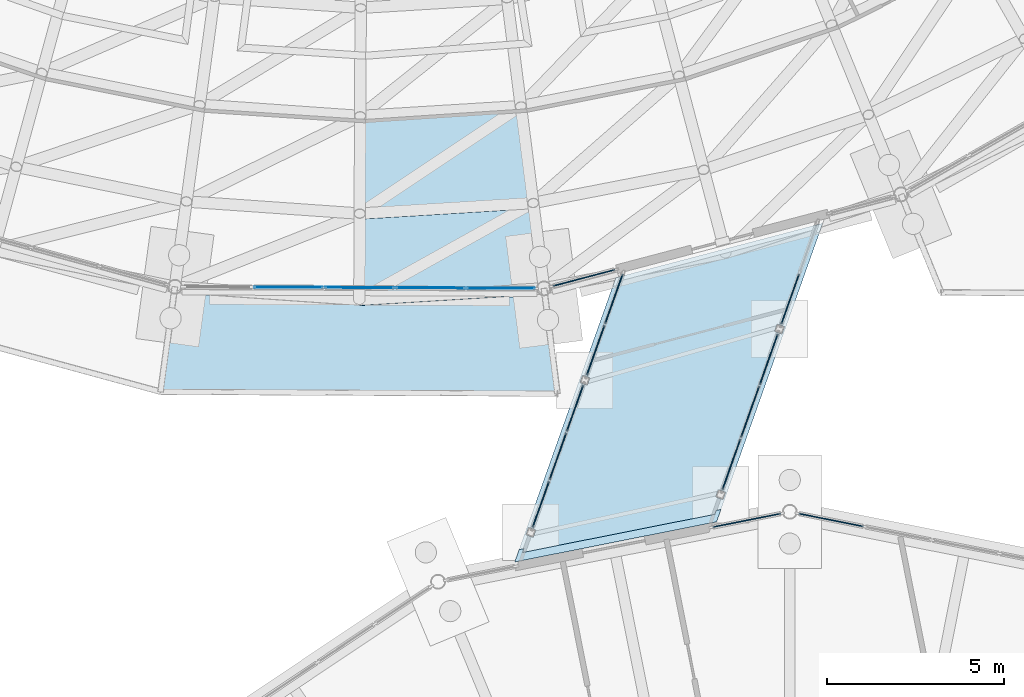
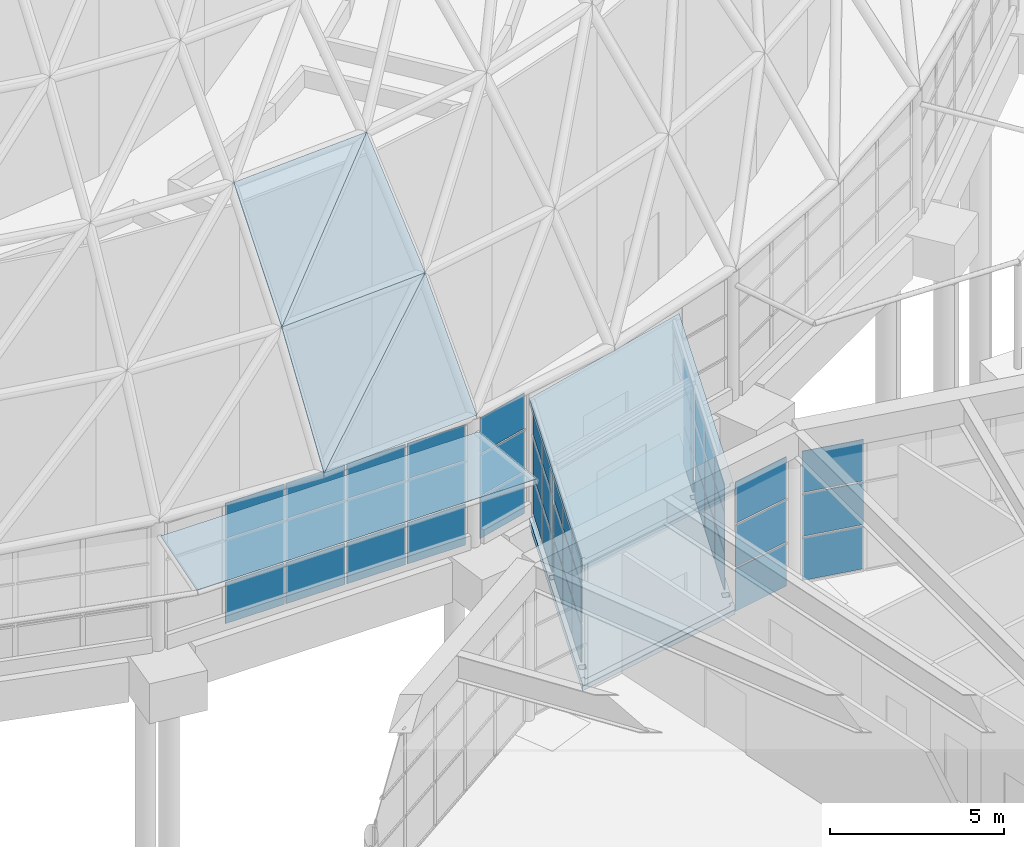
# One storey, part 144 of 226: 55 plates, 2 slabs, 8 elements without a shape of their own.
"""IFC4 building model written with IfcOpenShell, lengths in metres."""

from ifc_helpers import new_model, si_unit, direction, frame, origin, origin_2d, place, context, subcontext, project, spatial, polyline, rectangle, outline, extrude, material, layer, layer_set, type_object, element, aggregate, save


model = new_model("IFC4")

# Units and contexts
model_context = context("Model", 3, precision=1e-05, world=origin(), true_north=direction((0.0, 1.0)))
body_context = subcontext(model_context, "Body", "Model", "MODEL_VIEW")
ifc_project = project(units=[si_unit("LENGTHUNIT", "METRE"), si_unit("AREAUNIT", "SQUARE_METRE"), si_unit("VOLUMEUNIT", "CUBIC_METRE"), si_unit("PLANEANGLEUNIT", "RADIAN"), si_unit("MASSUNIT", "GRAM", prefix="KILO")], contexts=[model_context])

# Site, building, storey
site_placement = place(None, origin())
site = spatial("IfcSite", under=ifc_project, at=site_placement, CompositionType="ELEMENT")
building_placement = place(site_placement, origin())
building = spatial("IfcBuilding", under=site, at=building_placement, Name="Ceibo Conservatory and Research Tower", CompositionType="ELEMENT")
storey_placement = place(building_placement, origin())
storey = spatial("IfcBuildingStorey", under=building, at=storey_placement, Name="L00", CompositionType="ELEMENT", Elevation=0.0)

# Plate
ifc_material_1 = material(Name="Laminated glass", Category="glass")
ifc_layer_1 = layer(ifc_material_1, 0.02490234375)
ifc_layer_set_1 = layer_set([ifc_layer_1], Name="Laminated glass")
plate_type_1 = type_object("IfcPlateType", Name="Canopy glass 25", PredefinedType="SHEET", material=ifc_layer_set_1)
plate_1_placement = place(storey_placement, frame((150.572265625, 68.11767578125, 4.07275390625), z_axis=(0.00020013878, 0.04579833841, -0.998950685541), x_axis=(0.999990459392, -0.004368194758, 8.0894e-08)))
element("IfcPlate", 1, at=plate_1_placement, inside=storey, type_object=plate_type_1, Name="Brim canopy plate A-CP18", PredefinedType="SHEET", context=body_context, shape_type="SweptSolid", body=[
    extrude(outline(polyline([(0.0, 0.0), (10.507424465800101, 0.0), (10.866261528690972, 2.729349793094266), (-0.3589433905133363, 2.729311407075708), (0.0, 0.0)])), origin(), (0.0, 0.0, 1.0), 0.02490234375),
])

# Curtain wall, plates
ifc_material_2 = material(Name="Aluminium and glass", Category="aluminium")
curtain_wall_type_1 = type_object("IfcCurtainWallType", Name="Drum curtain wall", PredefinedType="NOTDEFINED", material=ifc_material_2)
curtain_wall_1_placement = place(storey_placement, origin())
curtain_wall_1 = element("IfcCurtainWall", 2, at=curtain_wall_1_placement, inside=storey, type_object=curtain_wall_type_1, Name="Drum curtain wall A-CW18", PredefinedType="NOTDEFINED")
ifc_layer_2 = layer(ifc_material_1, 0.028076171875)
ifc_layer_set_2 = layer_set([ifc_layer_2], Name="Laminated glass")
plate_type_2 = type_object("IfcPlateType", Name="Drum glass 28", PredefinedType="CURTAIN_PANEL", material=ifc_layer_set_2)
plate_2_placement = place(storey_placement, frame((153.81982421875, 68.351318359375, 0.06005859375), z_axis=(0.0, 0.0, 1.0), x_axis=(0.999990480759, -0.004363300488, 0.0)))
plate_2 = element("IfcPlate", 3, at=plate_2_placement, type_object=plate_type_2, Name="A-CW18 panel 2.1", PredefinedType="CURTAIN_PANEL", context=body_context, shape_type="SweptSolid", body=[
    extrude(rectangle(XDim=1.947021484375, YDim=0.028076171875, at=origin_2d()), origin(), (0.0, 0.0, 1.0), 1.43994140625),
])
plate_3_placement = place(storey_placement, frame((153.81982421875, 68.351318359375, 1.56005859375), z_axis=(0.0, 0.0, 1.0), x_axis=(0.999990480759, -0.004363300488, 0.0)))
plate_3 = element("IfcPlate", 4, at=plate_3_placement, type_object=plate_type_2, Name="A-CW18 panel 2.2", PredefinedType="CURTAIN_PANEL", context=body_context, shape_type="SweptSolid", body=[
    extrude(rectangle(XDim=1.947021484375, YDim=0.028076171875, at=origin_2d()), origin(), (0.0, 0.0, 1.0), 1.425048828125),
])
plate_4_placement = place(storey_placement, frame((153.81982421875, 68.351318359375, 3.044921875), z_axis=(0.0, 0.0, 1.0), x_axis=(0.999990480759, -0.004363300488, 0.0)))
plate_4 = element("IfcPlate", 5, at=plate_4_placement, type_object=plate_type_2, Name="A-CW18 panel 2.3", PredefinedType="CURTAIN_PANEL", context=body_context, shape_type="SweptSolid", body=[
    extrude(rectangle(XDim=1.947021484375, YDim=0.028076171875, at=origin_2d()), origin(), (0.0, 0.0, 1.0), 1.233154296875),
])
plate_5_placement = place(storey_placement, frame((155.826904296875, 68.342529296875, 0.06005859375), z_axis=(0.0, 0.0, 1.0), x_axis=(0.999990480759, -0.004363300488, 0.0)))
plate_5 = element("IfcPlate", 6, at=plate_5_placement, type_object=plate_type_2, Name="A-CW18 panel 3.1", PredefinedType="CURTAIN_PANEL", context=body_context, shape_type="SweptSolid", body=[
    extrude(rectangle(XDim=1.947021484375, YDim=0.028076171875, at=origin_2d()), origin(), (0.0, 0.0, 1.0), 1.43994140625),
])
plate_6_placement = place(storey_placement, frame((155.826904296875, 68.342529296875, 1.56005859375), z_axis=(0.0, 0.0, 1.0), x_axis=(0.999990480759, -0.004363300488, 0.0)))
plate_6 = element("IfcPlate", 7, at=plate_6_placement, type_object=plate_type_2, Name="A-CW18 panel 3.2", PredefinedType="CURTAIN_PANEL", context=body_context, shape_type="SweptSolid", body=[
    extrude(rectangle(XDim=1.947021484375, YDim=0.028076171875, at=origin_2d()), origin(), (0.0, 0.0, 1.0), 1.425048828125),
])
plate_7_placement = place(storey_placement, frame((155.826904296875, 68.342529296875, 3.044921875), z_axis=(0.0, 0.0, 1.0), x_axis=(0.999990480759, -0.004363300488, 0.0)))
plate_7 = element("IfcPlate", 8, at=plate_7_placement, type_object=plate_type_2, Name="A-CW18 panel 3.3", PredefinedType="CURTAIN_PANEL", context=body_context, shape_type="SweptSolid", body=[
    extrude(rectangle(XDim=1.947021484375, YDim=0.028076171875, at=origin_2d()), origin(), (0.0, 0.0, 1.0), 1.233154296875),
])
plate_8_placement = place(storey_placement, frame((157.833984375, 68.333740234375, 0.06005859375), z_axis=(0.0, 0.0, 1.0), x_axis=(0.999990480759, -0.004363300488, 0.0)))
plate_8 = element("IfcPlate", 9, at=plate_8_placement, type_object=plate_type_2, Name="A-CW18 panel 4.1", PredefinedType="CURTAIN_PANEL", context=body_context, shape_type="SweptSolid", body=[
    extrude(rectangle(XDim=1.947021484375, YDim=0.028076171875, at=origin_2d()), origin(), (0.0, 0.0, 1.0), 1.43994140625),
])
plate_9_placement = place(storey_placement, frame((157.833984375, 68.333740234375, 1.56005859375), z_axis=(0.0, 0.0, 1.0), x_axis=(0.999990480759, -0.004363300488, 0.0)))
plate_9 = element("IfcPlate", 10, at=plate_9_placement, type_object=plate_type_2, Name="A-CW18 panel 4.2", PredefinedType="CURTAIN_PANEL", context=body_context, shape_type="SweptSolid", body=[
    extrude(rectangle(XDim=1.947021484375, YDim=0.028076171875, at=origin_2d()), origin(), (0.0, 0.0, 1.0), 1.425048828125),
])
plate_10_placement = place(storey_placement, frame((157.833984375, 68.333740234375, 3.044921875), z_axis=(0.0, 0.0, 1.0), x_axis=(0.999990480759, -0.004363300488, 0.0)))
plate_10 = element("IfcPlate", 11, at=plate_10_placement, type_object=plate_type_2, Name="A-CW18 panel 4.3", PredefinedType="CURTAIN_PANEL", context=body_context, shape_type="SweptSolid", body=[
    extrude(rectangle(XDim=1.947021484375, YDim=0.028076171875, at=origin_2d()), origin(), (0.0, 0.0, 1.0), 1.233154296875),
])
plate_11_placement = place(storey_placement, frame((159.826171875, 68.3251953125, 0.06005859375), z_axis=(0.0, 0.0, 1.0), x_axis=(0.999990480759, -0.004363300488, 0.0)))
plate_11 = element("IfcPlate", 12, at=plate_11_placement, type_object=plate_type_2, Name="A-CW18 panel 5.1", PredefinedType="CURTAIN_PANEL", context=body_context, shape_type="SweptSolid", body=[
    extrude(rectangle(XDim=1.917236328125, YDim=0.028076171875, at=origin_2d()), origin(), (0.0, 0.0, 1.0), 1.43994140625),
])
plate_12_placement = place(storey_placement, frame((159.826171875, 68.3251953125, 1.56005859375), z_axis=(0.0, 0.0, 1.0), x_axis=(0.999990480759, -0.004363300488, 0.0)))
plate_12 = element("IfcPlate", 13, at=plate_12_placement, type_object=plate_type_2, Name="A-CW18 panel 5.2", PredefinedType="CURTAIN_PANEL", context=body_context, shape_type="SweptSolid", body=[
    extrude(rectangle(XDim=1.917236328125, YDim=0.028076171875, at=origin_2d()), origin(), (0.0, 0.0, 1.0), 1.425048828125),
])
plate_13_placement = place(storey_placement, frame((159.826171875, 68.3251953125, 3.044921875), z_axis=(0.0, 0.0, 1.0), x_axis=(0.999990480759, -0.004363300488, 0.0)))
plate_13 = element("IfcPlate", 14, at=plate_13_placement, type_object=plate_type_2, Name="A-CW18 panel 5.3", PredefinedType="CURTAIN_PANEL", context=body_context, shape_type="SweptSolid", body=[
    extrude(rectangle(XDim=1.917236328125, YDim=0.028076171875, at=origin_2d()), origin(), (0.0, 0.0, 1.0), 1.233154296875),
])
aggregate(curtain_wall_1, [plate_2, plate_3, plate_4, plate_5, plate_6, plate_7, plate_8, plate_9, plate_10, plate_11, plate_12, plate_13])

curtain_wall_2_placement = place(storey_placement, origin())
curtain_wall_2 = element("IfcCurtainWall", 15, at=curtain_wall_2_placement, inside=storey, type_object=curtain_wall_type_1, Name="Drum curtain wall A-CW19W", PredefinedType="NOTDEFINED")
plate_14_placement = place(storey_placement, frame((162.173828125, 68.6162109375, 0.06005859375), z_axis=(0.0, 0.0, 1.0), x_axis=(0.967045935266, 0.254601962062, 0.0)))
plate_14 = element("IfcPlate", 16, at=plate_14_placement, type_object=plate_type_2, Name="A-CW19W panel 1.1", PredefinedType="CURTAIN_PANEL", context=body_context, shape_type="SweptSolid", body=[
    extrude(rectangle(XDim=1.80224609375, YDim=0.028076171875, at=origin_2d()), origin(), (0.0, 0.0, 1.0), 1.43994140625),
])
plate_15_placement = place(storey_placement, frame((162.173828125, 68.6162109375, 1.56005859375), z_axis=(0.0, 0.0, 1.0), x_axis=(0.967045935266, 0.254601962062, 0.0)))
plate_15 = element("IfcPlate", 17, at=plate_15_placement, type_object=plate_type_2, Name="A-CW19W panel 1.2", PredefinedType="CURTAIN_PANEL", context=body_context, shape_type="SweptSolid", body=[
    extrude(rectangle(XDim=1.80224609375, YDim=0.028076171875, at=origin_2d()), origin(), (0.0, 0.0, 1.0), 1.425048828125),
])
plate_16_placement = place(storey_placement, frame((162.173828125, 68.6162109375, 3.044921875), z_axis=(0.0, 0.0, 1.0), x_axis=(0.967045935266, 0.254601962062, 0.0)))
plate_16 = element("IfcPlate", 18, at=plate_16_placement, type_object=plate_type_2, Name="A-CW19W panel 1.3", PredefinedType="CURTAIN_PANEL", context=body_context, shape_type="SweptSolid", body=[
    extrude(rectangle(XDim=1.80224609375, YDim=0.028076171875, at=origin_2d()), origin(), (0.0, 0.0, 1.0), 1.233154296875),
])
aggregate(curtain_wall_2, [plate_14, plate_15, plate_16])

curtain_wall_type_2 = type_object("IfcCurtainWallType", Name="Gallery curtain wall", PredefinedType="NOTDEFINED", material=ifc_material_2)
curtain_wall_3_placement = place(storey_placement, origin())
curtain_wall_3 = element("IfcCurtainWall", 19, at=curtain_wall_3_placement, inside=storey, type_object=curtain_wall_type_2, Name="Gallery curtain wall A-VC-CWN01", PredefinedType="NOTDEFINED")
ifc_layer_3 = layer(ifc_material_1, 0.028076171875)
ifc_layer_set_3 = layer_set([ifc_layer_3], Name="Laminated glass")
plate_type_3 = type_object("IfcPlateType", Name="Gallery glass 28", PredefinedType="CURTAIN_PANEL", material=ifc_layer_set_3)
plate_17_placement = place(storey_placement, frame((168.011962890625, 68.02001953125, 0.06005859375), z_axis=(0.0, 0.0, 1.0), x_axis=(-0.335040023954, -0.942203896378, 0.0)))
plate_17 = element("IfcPlate", 20, at=plate_17_placement, type_object=plate_type_3, Name="A-VC-CWN01 panel 2.1", PredefinedType="CURTAIN_PANEL", context=body_context, shape_type="SweptSolid", body=[
    extrude(rectangle(XDim=1.484375, YDim=0.028076171875, at=origin_2d()), origin(), (0.0, 0.0, 1.0), 1.31005859375),
])
plate_18_placement = place(storey_placement, frame((168.011962890625, 68.02001953125, 1.43017578125), z_axis=(0.0, 0.0, 1.0), x_axis=(-0.335040023954, -0.942203896378, 0.0)))
plate_18 = element("IfcPlate", 21, at=plate_18_placement, type_object=plate_type_3, Name="A-VC-CWN01 panel 2.2", PredefinedType="CURTAIN_PANEL", context=body_context, shape_type="SweptSolid", body=[
    extrude(rectangle(XDim=1.484375, YDim=0.028076171875, at=origin_2d()), origin(), (0.0, 0.0, 1.0), 1.340087890625),
])
plate_19_placement = place(storey_placement, frame((168.011962890625, 68.02001953125, 2.830078125), z_axis=(0.0, 0.0, 1.0), x_axis=(-0.335040023954, -0.942203896378, 0.0)))
plate_19 = element("IfcPlate", 22, at=plate_19_placement, type_object=plate_type_3, Name="A-VC-CWN01 panel 2.3", PredefinedType="CURTAIN_PANEL", context=body_context, shape_type="SweptSolid", body=[
    extrude(rectangle(XDim=1.484375, YDim=0.028076171875, at=origin_2d()), origin(), (0.0, 0.0, 1.0), 0.909912109375),
])
aggregate(curtain_wall_3, [plate_17, plate_18, plate_19])

curtain_wall_4_placement = place(storey_placement, origin())
curtain_wall_4 = element("IfcCurtainWall", 23, at=curtain_wall_4_placement, inside=storey, type_object=curtain_wall_type_2, Name="Gallery curtain wall A-VC-CWN02", PredefinedType="NOTDEFINED")
plate_20_placement = place(storey_placement, frame((167.404541015625, 66.3125, 0.06005859375), z_axis=(0.0, 0.0, 1.0), x_axis=(-0.335040023954, -0.942203896378, 0.0)))
plate_20 = element("IfcPlate", 24, at=plate_20_placement, type_object=plate_type_3, Name="A-VC-CWN02 panel 1.1", PredefinedType="CURTAIN_PANEL", context=body_context, shape_type="SweptSolid", body=[
    extrude(rectangle(XDim=1.500244140625, YDim=0.028076171875, at=origin_2d()), origin(), (0.0, 0.0, 1.0), 1.31005859375),
])
plate_21_placement = place(storey_placement, frame((167.404541015625, 66.3125, 1.43017578125), z_axis=(0.0, 0.0, 1.0), x_axis=(-0.335040023954, -0.942203896378, 0.0)))
plate_21 = element("IfcPlate", 25, at=plate_21_placement, type_object=plate_type_3, Name="A-VC-CWN02 panel 1.2", PredefinedType="CURTAIN_PANEL", context=body_context, shape_type="SweptSolid", body=[
    extrude(rectangle(XDim=1.500244140625, YDim=0.028076171875, at=origin_2d()), origin(), (0.0, 0.0, 1.0), 1.340087890625),
])
plate_22_placement = place(storey_placement, frame((167.404541015625, 66.3125, 2.830078125), z_axis=(0.0, 0.0, 1.0), x_axis=(-0.335040023954, -0.942203896378, 0.0)))
plate_22 = element("IfcPlate", 26, at=plate_22_placement, type_object=plate_type_3, Name="A-VC-CWN02 panel 1.3", PredefinedType="CURTAIN_PANEL", context=body_context, shape_type="SweptSolid", body=[
    extrude(rectangle(XDim=1.500244140625, YDim=0.028076171875, at=origin_2d()), origin(), (0.0, 0.0, 1.0), 0.909912109375),
])
plate_23_placement = place(storey_placement, frame((166.876953125, 64.828369140625, 0.06005859375), z_axis=(0.0, 0.0, 1.0), x_axis=(-0.335040023954, -0.942203896378, 0.0)))
plate_23 = element("IfcPlate", 27, at=plate_23_placement, type_object=plate_type_3, Name="A-VC-CWN02 panel 2.1", PredefinedType="CURTAIN_PANEL", context=body_context, shape_type="SweptSolid", body=[
    extrude(rectangle(XDim=1.5302734375, YDim=0.028076171875, at=origin_2d()), origin(), (0.0, 0.0, 1.0), 1.31005859375),
])
plate_24_placement = place(storey_placement, frame((166.876953125, 64.828369140625, 1.43017578125), z_axis=(0.0, 0.0, 1.0), x_axis=(-0.335040023954, -0.942203896378, 0.0)))
plate_24 = element("IfcPlate", 28, at=plate_24_placement, type_object=plate_type_3, Name="A-VC-CWN02 panel 2.2", PredefinedType="CURTAIN_PANEL", context=body_context, shape_type="SweptSolid", body=[
    extrude(rectangle(XDim=1.5302734375, YDim=0.028076171875, at=origin_2d()), origin(), (0.0, 0.0, 1.0), 1.340087890625),
])
plate_25_placement = place(storey_placement, frame((166.876953125, 64.828369140625, 2.830078125), z_axis=(0.0, 0.0, 1.0), x_axis=(-0.335040023954, -0.942203896378, 0.0)))
plate_25 = element("IfcPlate", 29, at=plate_25_placement, type_object=plate_type_3, Name="A-VC-CWN02 panel 2.3", PredefinedType="CURTAIN_PANEL", context=body_context, shape_type="SweptSolid", body=[
    extrude(rectangle(XDim=1.5302734375, YDim=0.028076171875, at=origin_2d()), origin(), (0.0, 0.0, 1.0), 0.909912109375),
])
plate_26_placement = place(storey_placement, frame((166.34912109375, 63.343994140625, 0.06005859375), z_axis=(0.0, 0.0, 1.0), x_axis=(-0.335040023954, -0.942203896378, 0.0)))
plate_26 = element("IfcPlate", 30, at=plate_26_placement, type_object=plate_type_3, Name="A-VC-CWN02 panel 3.1", PredefinedType="CURTAIN_PANEL", context=body_context, shape_type="SweptSolid", body=[
    extrude(rectangle(XDim=1.500244140625, YDim=0.028076171875, at=origin_2d()), origin(), (0.0, 0.0, 1.0), 1.31005859375),
])
plate_27_placement = place(storey_placement, frame((166.34912109375, 63.343994140625, 1.43017578125), z_axis=(0.0, 0.0, 1.0), x_axis=(-0.335040023954, -0.942203896378, 0.0)))
plate_27 = element("IfcPlate", 31, at=plate_27_placement, type_object=plate_type_3, Name="A-VC-CWN02 panel 3.2", PredefinedType="CURTAIN_PANEL", context=body_context, shape_type="SweptSolid", body=[
    extrude(rectangle(XDim=1.500244140625, YDim=0.028076171875, at=origin_2d()), origin(), (0.0, 0.0, 1.0), 1.340087890625),
])
plate_28_placement = place(storey_placement, frame((166.34912109375, 63.343994140625, 2.830078125), z_axis=(0.0, 0.0, 1.0), x_axis=(-0.335040023954, -0.942203896378, 0.0)))
plate_28 = element("IfcPlate", 32, at=plate_28_placement, type_object=plate_type_3, Name="A-VC-CWN02 panel 3.3", PredefinedType="CURTAIN_PANEL", context=body_context, shape_type="SweptSolid", body=[
    extrude(rectangle(XDim=1.500244140625, YDim=0.028076171875, at=origin_2d()), origin(), (0.0, 0.0, 1.0), 0.909912109375),
])
aggregate(curtain_wall_4, [plate_20, plate_21, plate_22, plate_23, plate_24, plate_25, plate_26, plate_27, plate_28])

curtain_wall_5_placement = place(storey_placement, origin())
curtain_wall_5 = element("IfcCurtainWall", 33, at=curtain_wall_5_placement, inside=storey, type_object=curtain_wall_type_2, Name="Gallery curtain wall A-VC-CWS01", PredefinedType="NOTDEFINED")
plate_29_placement = place(storey_placement, frame((163.025634765625, 68.026123046875, 0.06005859375), z_axis=(0.0, 0.0, 1.0), x_axis=(-0.335040023954, -0.942203896378, 0.0)))
plate_29 = element("IfcPlate", 34, at=plate_29_placement, type_object=plate_type_3, Name="A-VC-CWS01 panel 1.1", PredefinedType="CURTAIN_PANEL", context=body_context, shape_type="SweptSolid", body=[
    extrude(rectangle(XDim=1.484375, YDim=0.028076171875, at=origin_2d()), origin(), (0.0, 0.0, 1.0), 1.31005859375),
])
plate_30_placement = place(storey_placement, frame((163.025634765625, 68.026123046875, 1.43017578125), z_axis=(0.0, 0.0, 1.0), x_axis=(-0.335040023954, -0.942203896378, 0.0)))
plate_30 = element("IfcPlate", 35, at=plate_30_placement, type_object=plate_type_3, Name="A-VC-CWS01 panel 1.2", PredefinedType="CURTAIN_PANEL", context=body_context, shape_type="SweptSolid", body=[
    extrude(rectangle(XDim=1.484375, YDim=0.028076171875, at=origin_2d()), origin(), (0.0, 0.0, 1.0), 1.340087890625),
])
plate_31_placement = place(storey_placement, frame((163.025634765625, 68.026123046875, 2.830078125), z_axis=(0.0, 0.0, 1.0), x_axis=(-0.335040023954, -0.942203896378, 0.0)))
plate_31 = element("IfcPlate", 36, at=plate_31_placement, type_object=plate_type_3, Name="A-VC-CWS01 panel 1.3", PredefinedType="CURTAIN_PANEL", context=body_context, shape_type="SweptSolid", body=[
    extrude(rectangle(XDim=1.484375, YDim=0.028076171875, at=origin_2d()), origin(), (0.0, 0.0, 1.0), 0.909912109375),
])
plate_32_placement = place(storey_placement, frame((162.50830078125, 66.571044921875, 0.06005859375), z_axis=(0.0, 0.0, 1.0), x_axis=(-0.335040023954, -0.942203896378, 0.0)))
plate_32 = element("IfcPlate", 37, at=plate_32_placement, type_object=plate_type_3, Name="A-VC-CWS01 panel 2.1", PredefinedType="CURTAIN_PANEL", context=body_context, shape_type="SweptSolid", body=[
    extrude(rectangle(XDim=1.484375, YDim=0.028076171875, at=origin_2d()), origin(), (0.0, 0.0, 1.0), 1.31005859375),
])
plate_33_placement = place(storey_placement, frame((162.50830078125, 66.571044921875, 1.43017578125), z_axis=(0.0, 0.0, 1.0), x_axis=(-0.335040023954, -0.942203896378, 0.0)))
plate_33 = element("IfcPlate", 38, at=plate_33_placement, type_object=plate_type_3, Name="A-VC-CWS01 panel 2.2", PredefinedType="CURTAIN_PANEL", context=body_context, shape_type="SweptSolid", body=[
    extrude(rectangle(XDim=1.484375, YDim=0.028076171875, at=origin_2d()), origin(), (0.0, 0.0, 1.0), 1.340087890625),
])
plate_34_placement = place(storey_placement, frame((162.50830078125, 66.571044921875, 2.830078125), z_axis=(0.0, 0.0, 1.0), x_axis=(-0.335040023954, -0.942203896378, 0.0)))
plate_34 = element("IfcPlate", 39, at=plate_34_placement, type_object=plate_type_3, Name="A-VC-CWS01 panel 2.3", PredefinedType="CURTAIN_PANEL", context=body_context, shape_type="SweptSolid", body=[
    extrude(rectangle(XDim=1.484375, YDim=0.028076171875, at=origin_2d()), origin(), (0.0, 0.0, 1.0), 0.909912109375),
])
aggregate(curtain_wall_5, [plate_29, plate_30, plate_31, plate_32, plate_33, plate_34])

curtain_wall_6_placement = place(storey_placement, origin())
curtain_wall_6 = element("IfcCurtainWall", 40, at=curtain_wall_6_placement, inside=storey, type_object=curtain_wall_type_2, Name="Gallery curtain wall A-VC-CWS02", PredefinedType="NOTDEFINED")
plate_35_placement = place(storey_placement, frame((161.923583984375, 64.927001953125, 0.06005859375), z_axis=(0.0, 0.0, 1.0), x_axis=(-0.335040023954, -0.942203896378, 0.0)))
plate_35 = element("IfcPlate", 41, at=plate_35_placement, type_object=plate_type_3, Name="A-VC-CWS02 panel 1.1", PredefinedType="CURTAIN_PANEL", context=body_context, shape_type="SweptSolid", body=[
    extrude(rectangle(XDim=1.365478515625, YDim=0.028076171875, at=origin_2d()), origin(), (0.0, 0.0, 1.0), 1.31005859375),
])
plate_36_placement = place(storey_placement, frame((161.923583984375, 64.927001953125, 1.43017578125), z_axis=(0.0, 0.0, 1.0), x_axis=(-0.335040023954, -0.942203896378, 0.0)))
plate_36 = element("IfcPlate", 42, at=plate_36_placement, type_object=plate_type_3, Name="A-VC-CWS02 panel 1.2", PredefinedType="CURTAIN_PANEL", context=body_context, shape_type="SweptSolid", body=[
    extrude(rectangle(XDim=1.365478515625, YDim=0.028076171875, at=origin_2d()), origin(), (0.0, 0.0, 1.0), 1.340087890625),
])
plate_37_placement = place(storey_placement, frame((161.923583984375, 64.927001953125, 2.830078125), z_axis=(0.0, 0.0, 1.0), x_axis=(-0.335040023954, -0.942203896378, 0.0)))
plate_37 = element("IfcPlate", 43, at=plate_37_placement, type_object=plate_type_3, Name="A-VC-CWS02 panel 1.3", PredefinedType="CURTAIN_PANEL", context=body_context, shape_type="SweptSolid", body=[
    extrude(rectangle(XDim=1.365478515625, YDim=0.028076171875, at=origin_2d()), origin(), (0.0, 0.0, 1.0), 0.909912109375),
])
plate_38_placement = place(storey_placement, frame((161.441162109375, 63.56982421875, 0.06005859375), z_axis=(0.0, 0.0, 1.0), x_axis=(-0.335040023954, -0.942203896378, 0.0)))
plate_38 = element("IfcPlate", 44, at=plate_38_placement, type_object=plate_type_3, Name="A-VC-CWS02 panel 2.1", PredefinedType="CURTAIN_PANEL", context=body_context, shape_type="SweptSolid", body=[
    extrude(rectangle(XDim=1.3955078125, YDim=0.028076171875, at=origin_2d()), origin(), (0.0, 0.0, 1.0), 1.31005859375),
])
plate_39_placement = place(storey_placement, frame((161.441162109375, 63.56982421875, 1.43017578125), z_axis=(0.0, 0.0, 1.0), x_axis=(-0.335040023954, -0.942203896378, 0.0)))
plate_39 = element("IfcPlate", 45, at=plate_39_placement, type_object=plate_type_3, Name="A-VC-CWS02 panel 2.2", PredefinedType="CURTAIN_PANEL", context=body_context, shape_type="SweptSolid", body=[
    extrude(rectangle(XDim=1.3955078125, YDim=0.028076171875, at=origin_2d()), origin(), (0.0, 0.0, 1.0), 1.340087890625),
])
plate_40_placement = place(storey_placement, frame((161.441162109375, 63.56982421875, 2.830078125), z_axis=(0.0, 0.0, 1.0), x_axis=(-0.335040023954, -0.942203896378, 0.0)))
plate_40 = element("IfcPlate", 46, at=plate_40_placement, type_object=plate_type_3, Name="A-VC-CWS02 panel 2.3", PredefinedType="CURTAIN_PANEL", context=body_context, shape_type="SweptSolid", body=[
    extrude(rectangle(XDim=1.3955078125, YDim=0.028076171875, at=origin_2d()), origin(), (0.0, 0.0, 1.0), 0.909912109375),
])
plate_41_placement = place(storey_placement, frame((160.95849609375, 62.212646484375, 0.06005859375), z_axis=(0.0, 0.0, 1.0), x_axis=(-0.335040023954, -0.942203896378, 0.0)))
plate_41 = element("IfcPlate", 47, at=plate_41_placement, type_object=plate_type_3, Name="A-VC-CWS02 panel 3.1", PredefinedType="CURTAIN_PANEL", context=body_context, shape_type="SweptSolid", body=[
    extrude(rectangle(XDim=1.365478515625, YDim=0.028076171875, at=origin_2d()), origin(), (0.0, 0.0, 1.0), 1.31005859375),
])
plate_42_placement = place(storey_placement, frame((160.95849609375, 62.212646484375, 1.43017578125), z_axis=(0.0, 0.0, 1.0), x_axis=(-0.335040023954, -0.942203896378, 0.0)))
plate_42 = element("IfcPlate", 48, at=plate_42_placement, type_object=plate_type_3, Name="A-VC-CWS02 panel 3.2", PredefinedType="CURTAIN_PANEL", context=body_context, shape_type="SweptSolid", body=[
    extrude(rectangle(XDim=1.365478515625, YDim=0.028076171875, at=origin_2d()), origin(), (0.0, 0.0, 1.0), 1.340087890625),
])
plate_43_placement = place(storey_placement, frame((160.95849609375, 62.212646484375, 2.830078125), z_axis=(0.0, 0.0, 1.0), x_axis=(-0.335040023954, -0.942203896378, 0.0)))
plate_43 = element("IfcPlate", 49, at=plate_43_placement, type_object=plate_type_3, Name="A-VC-CWS02 panel 3.3", PredefinedType="CURTAIN_PANEL", context=body_context, shape_type="SweptSolid", body=[
    extrude(rectangle(XDim=1.365478515625, YDim=0.028076171875, at=origin_2d()), origin(), (0.0, 0.0, 1.0), 0.909912109375),
])
aggregate(curtain_wall_6, [plate_35, plate_36, plate_37, plate_38, plate_39, plate_40, plate_41, plate_42, plate_43])

# Plates
ifc_layer_4 = layer(ifc_material_1, 0.035888671875)
ifc_layer_set_4 = layer_set([ifc_layer_4], Name="Laminated glass")
plate_type_4 = type_object("IfcPlateType", Name="Gridshell roof glass 36", PredefinedType="SHEET", material=ifc_layer_set_4)
plate_44_placement = place(storey_placement, frame((155.82421875, 67.83251953125, 4.601806640625), z_axis=(0.050752079254, -0.82850069804, 0.557683440491), x_axis=(0.998129008768, 0.061143125985, 0.0)))
element("IfcPlate", 50, at=plate_44_placement, inside=storey, type_object=plate_type_4, Name="Glass panel A-P01-071", PredefinedType="SHEET", context=body_context, shape_type="SweptSolid", body=[
    extrude(outline(polyline([(0.0, 0.0), (5.254704553018939, 0.0), (5.095221856598572, 4.374540373181693), (0.0, 0.0)])), origin(), (0.0, 0.0, -1.0), 0.035888671875),
])
plate_45_placement = place(storey_placement, frame((155.82421875, 67.83251953125, 4.601806640625), z_axis=(0.050672325751, -0.8284555689, 0.557757730347), x_axis=(0.735094368117, 0.408991673655, 0.54070516998)))
element("IfcPlate", 51, at=plate_45_placement, inside=storey, type_object=plate_type_4, Name="Glass panel A-P01-072", PredefinedType="SHEET", context=body_context, shape_type="SweptSolid", body=[
    extrude(outline(polyline([(0.0, 0.0), (6.715496202408012, -4.440892098500626e-16), (2.971544883548719, 3.2147329077703466), (0.0, 0.0)])), origin(), (0.0, 0.0, -1.0), 0.035888671875),
])
plate_46_placement = place(storey_placement, frame((155.835205078125, 70.27783203125, 8.23291015625), z_axis=(0.047290467593, -0.773164654537, 0.632439743098), x_axis=(0.998134665357, 0.061050715095, 0.0)))
element("IfcPlate", 52, at=plate_46_placement, inside=storey, type_object=plate_type_4, Name="Glass panel A-P02-071", PredefinedType="SHEET", context=body_context, shape_type="SweptSolid", body=[
    extrude(outline(polyline([(0.0, 0.0), (4.9347420546863265, 0.0), (4.752898514135263, 4.372792699188496), (0.0, 0.0)])), origin(), (0.0, 0.0, -1.0), 0.035888671875),
])
plate_47_placement = place(storey_placement, frame((155.835205078125, 70.27783203125, 8.23291015625), z_axis=(0.047283155553, -0.773160260098, 0.632445662019), x_axis=(0.708406377016, 0.472333921068, 0.524462650732)))
element("IfcPlate", 53, at=plate_47_placement, inside=storey, type_object=plate_type_4, Name="Glass panel A-P02-072", PredefinedType="SHEET", context=body_context, shape_type="SweptSolid", body=[
    extrude(outline(polyline([(0.0, 0.0), (6.458433267886678, 2.220446049250313e-16), (3.0941771989901588, 3.0952404730941234), (0.0, 0.0)])), origin(), (0.0, 0.0, -1.0), 0.035888671875),
])
ifc_material_3 = material(Name="Stainless steel AISI 316", Category="steel")
ifc_layer_5 = layer(ifc_material_3, 0.010009765625)
ifc_layer_set_5 = layer_set([ifc_layer_5], Name="Stainless steel AISI 316")
plate_type_5 = type_object("IfcPlateType", Name="Movement joint floor cover plate 10", PredefinedType="SHEET", material=ifc_layer_set_5)
plate_48_placement = place(storey_placement, origin())
element("IfcPlate", 54, at=plate_48_placement, inside=storey, type_object=plate_type_5, Name="Movement joint cover floor A-VC-JF01", PredefinedType="SHEET", context=body_context, shape_type="SweptSolid", body=[
    extrude(outline(polyline([(160.218505859375, 60.57958984375), (160.343505859375, 60.9306640625), (160.48046875, 60.9580078125), (160.44140625, 60.848388671875), (165.8779296875, 61.9296875), (165.9169921875, 62.039306640625), (166.053955078125, 62.066650390625), (165.92919921875, 61.715576171875), (160.218505859375, 60.57958984375)])), origin(), (0.0, 0.0, 1.0), 0.010009765625),
])
ifc_layer_6 = layer(ifc_material_3, 0.010009765625)
ifc_layer_set_6 = layer_set([ifc_layer_6], Name="Stainless steel AISI 316")
plate_type_6 = type_object("IfcPlateType", Name="Movement joint roof cover plate 10", PredefinedType="SHEET", material=ifc_layer_set_6)
plate_49_placement = place(storey_placement, frame((0.0, 0.0, 4.199951171875)))
element("IfcPlate", 55, at=plate_49_placement, inside=storey, type_object=plate_type_6, Name="Movement joint cover roof A-VC-JR01", PredefinedType="SHEET", context=body_context, shape_type="SweptSolid", body=[
    extrude(outline(polyline([(160.218505859375, 60.57958984375), (160.343505859375, 60.9306640625), (160.48046875, 60.9580078125), (160.44140625, 60.848388671875), (165.8779296875, 61.9296875), (165.9169921875, 62.039306640625), (166.053955078125, 62.066650390625), (165.92919921875, 61.715576171875), (160.218505859375, 60.57958984375)])), origin(), (0.0, 0.0, 1.0), 0.010009765625),
])

# Curtain wall, plates
curtain_wall_type_3 = type_object("IfcCurtainWallType", Name="Pavilion curtain wall", PredefinedType="NOTDEFINED", material=ifc_material_2)
curtain_wall_7_placement = place(storey_placement, origin())
curtain_wall_7 = element("IfcCurtainWall", 56, at=curtain_wall_7_placement, inside=storey, type_object=curtain_wall_type_3, Name="Pavilion curtain wall VC-CW04", PredefinedType="NOTDEFINED")
ifc_layer_7 = layer(ifc_material_1, 0.028076171875)
ifc_layer_set_7 = layer_set([ifc_layer_7], Name="Laminated glass")
plate_type_7 = type_object("IfcPlateType", Name="Pavilion glass 28", PredefinedType="CURTAIN_PANEL", material=ifc_layer_set_7)
plate_50_placement = place(storey_placement, frame((169.169189453125, 61.767333984375, 0.06005859375), z_axis=(0.0, 0.0, 1.0), x_axis=(-0.980785282416, 0.195090311899, 0.0)))
plate_50 = element("IfcPlate", 57, at=plate_50_placement, type_object=plate_type_7, Name="VC-CW04 panel 5.1", PredefinedType="CURTAIN_PANEL", context=body_context, shape_type="SweptSolid", body=[
    extrude(rectangle(XDim=1.857666015625, YDim=0.028076171875, at=origin_2d()), origin(), (0.0, 0.0, 1.0), 1.490966796875),
])
plate_51_placement = place(storey_placement, frame((169.169189453125, 61.767333984375, 1.61083984375), z_axis=(0.0, 0.0, 1.0), x_axis=(-0.980785282416, 0.195090311899, 0.0)))
plate_51 = element("IfcPlate", 58, at=plate_51_placement, type_object=plate_type_7, Name="VC-CW04 panel 5.2", PredefinedType="CURTAIN_PANEL", context=body_context, shape_type="SweptSolid", body=[
    extrude(rectangle(XDim=1.857666015625, YDim=0.028076171875, at=origin_2d()), origin(), (0.0, 0.0, 1.0), 1.47412109375),
])
plate_52_placement = place(storey_placement, frame((169.169189453125, 61.767333984375, 3.14501953125), z_axis=(0.0, 0.0, 1.0), x_axis=(-0.980785282416, 0.195090311899, 0.0)))
plate_52 = element("IfcPlate", 59, at=plate_52_placement, type_object=plate_type_7, Name="VC-CW04 panel 5.3", PredefinedType="CURTAIN_PANEL", context=body_context, shape_type="SweptSolid", body=[
    extrude(rectangle(XDim=1.857666015625, YDim=0.028076171875, at=origin_2d()), origin(), (0.0, 0.0, 1.0), 1.444091796875),
])
aggregate(curtain_wall_7, [plate_50, plate_51, plate_52])

curtain_wall_8_placement = place(storey_placement, origin())
curtain_wall_8 = element("IfcCurtainWall", 60, at=curtain_wall_8_placement, inside=storey, type_object=curtain_wall_type_3, Name="Pavilion curtain wall VC-CW05W", PredefinedType="NOTDEFINED")
plate_53_placement = place(storey_placement, frame((166.783447265625, 61.758056640625, 0.06005859375), z_axis=(0.0, 0.0, 1.0), x_axis=(-0.980785282416, -0.195090311899, 0.0)))
plate_53 = element("IfcPlate", 61, at=plate_53_placement, type_object=plate_type_7, Name="VC-CW05W panel 1.1", PredefinedType="CURTAIN_PANEL", context=body_context, shape_type="SweptSolid", body=[
    extrude(rectangle(XDim=1.954345703125, YDim=0.028076171875, at=origin_2d()), origin(), (0.0, 0.0, 1.0), 1.490966796875),
])
plate_54_placement = place(storey_placement, frame((166.783447265625, 61.758056640625, 1.61083984375), z_axis=(0.0, 0.0, 1.0), x_axis=(-0.980785282416, -0.195090311899, 0.0)))
plate_54 = element("IfcPlate", 62, at=plate_54_placement, type_object=plate_type_7, Name="VC-CW05W panel 1.2", PredefinedType="CURTAIN_PANEL", context=body_context, shape_type="SweptSolid", body=[
    extrude(rectangle(XDim=1.954345703125, YDim=0.028076171875, at=origin_2d()), origin(), (0.0, 0.0, 1.0), 1.47412109375),
])
plate_55_placement = place(storey_placement, frame((166.783447265625, 61.758056640625, 3.14501953125), z_axis=(0.0, 0.0, 1.0), x_axis=(-0.980785282416, -0.195090311899, 0.0)))
plate_55 = element("IfcPlate", 63, at=plate_55_placement, type_object=plate_type_7, Name="VC-CW05W panel 1.3", PredefinedType="CURTAIN_PANEL", context=body_context, shape_type="SweptSolid", body=[
    extrude(rectangle(XDim=1.954345703125, YDim=0.028076171875, at=origin_2d()), origin(), (0.0, 0.0, 1.0), 1.444091796875),
])
aggregate(curtain_wall_8, [plate_53, plate_54, plate_55])

# Slabs
ifc_material_4 = material(Name="Concrete C35/45", Category="concrete")
ifc_layer_8 = layer(ifc_material_4, 0.25)
ifc_layer_set_8 = layer_set([ifc_layer_8], Name="Concrete C35/45")
slab_type_1 = type_object("IfcSlabType", Name="RC gallery floor slab 250", PredefinedType="BASESLAB", material=ifc_layer_set_8)
slab_1_placement = place(storey_placement, frame((0.0, 0.0, -0.25)))
element("IfcSlab", 64, at=slab_1_placement, inside=storey, type_object=slab_type_1, Name="Gallery floor slab A-VC", PredefinedType="BASESLAB", context=body_context, shape_type="SweptSolid", body=[
    extrude(outline(polyline([(163.078369140625, 68.62158203125), (168.93310546875, 70.1630859375), (165.96826171875, 61.8251953125), (160.257568359375, 60.689208984375), (163.078369140625, 68.62158203125)]), holes=[polyline([(160.816650390625, 61.485595703125), (160.609375, 61.559326171875), (160.53564453125, 61.35205078125), (160.742919921875, 61.2783203125), (160.816650390625, 61.485595703125)]), polyline([(166.1845703125, 62.55322265625), (165.977294921875, 62.626953125), (165.90380859375, 62.419677734375), (166.11083984375, 62.345947265625), (166.1845703125, 62.55322265625)]), polyline([(162.346435546875, 65.787841796875), (162.139404296875, 65.861572265625), (162.0654296875, 65.654296875), (162.272705078125, 65.58056640625), (162.346435546875, 65.787841796875)]), polyline([(167.85009765625, 67.23681640625), (167.642822265625, 67.310546875), (167.569091796875, 67.103271484375), (167.7763671875, 67.029541015625), (167.85009765625, 67.23681640625)])]), origin(), (0.0, 0.0, 1.0), 0.25),
])
ifc_layer_9 = layer(ifc_material_4, 0.199951171875)
ifc_layer_set_9 = layer_set([ifc_layer_9], Name="Concrete C35/45")
slab_type_2 = type_object("IfcSlabType", Name="RC gallery roof slab 200", PredefinedType="ROOF", material=ifc_layer_set_9)
slab_2_placement = place(storey_placement, frame((0.0, 0.0, 4.0)))
element("IfcSlab", 65, at=slab_2_placement, inside=storey, type_object=slab_type_2, Name="Gallery roof slab A-VC", PredefinedType="ROOF", context=body_context, shape_type="SweptSolid", body=[
    extrude(outline(polyline([(165.96826171875, 61.8251953125), (160.257568359375, 60.689208984375), (163.078369140625, 68.62158203125), (168.93310546875, 70.1630859375), (165.96826171875, 61.8251953125)])), origin(), (0.0, 0.0, 1.0), 0.199951171875),
])

save(model, "model.ifc")
